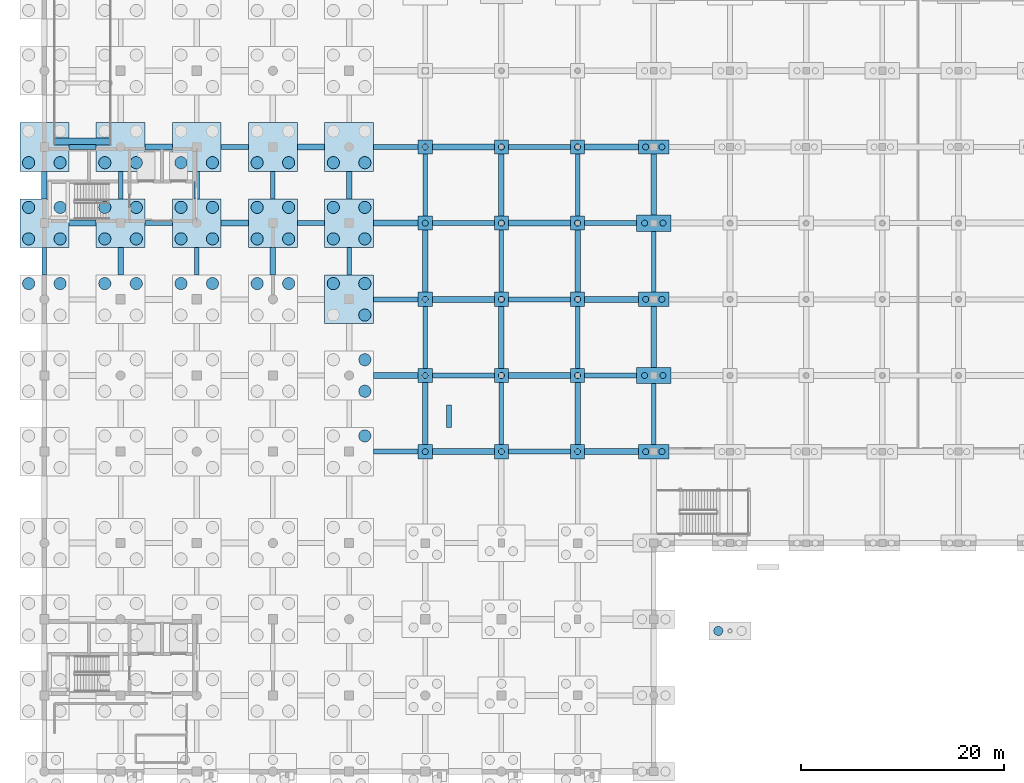
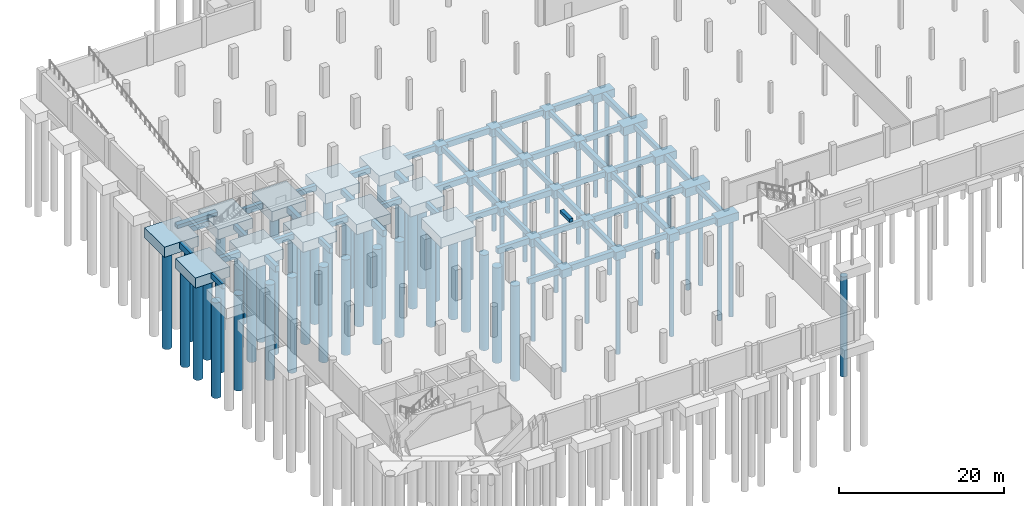
# One storey, part 3 of 42: 87 footings, 70 piles.
"""IFC4 building model written with IfcOpenShell, lengths in metres."""

from ifc_helpers import new_model, si_unit, direction, frame, origin, origin_2d, place, context, subcontext, project, spatial, rectangle, circle, extrude, material, material_profile, profile_set, type_object, element, save


model = new_model("IFC4")

# Units and contexts
model_context = context("Model", 3, precision=1e-05, world=origin(), true_north=direction((0.0, 1.0)))
body_context = subcontext(model_context, "Body", "Model", "MODEL_VIEW")
ifc_project = project(units=[si_unit("LENGTHUNIT", "METRE"), si_unit("AREAUNIT", "SQUARE_METRE"), si_unit("VOLUMEUNIT", "CUBIC_METRE"), si_unit("PLANEANGLEUNIT", "RADIAN"), si_unit("MASSUNIT", "GRAM", prefix="KILO")], contexts=[model_context])

# Site, building, storey
site_placement = place(None, origin())
site = spatial("IfcSite", under=ifc_project, at=site_placement, CompositionType="ELEMENT")
building_placement = place(site_placement, origin())
building = spatial("IfcBuilding", under=site, at=building_placement, Name="Dalvernix Boulevard General Hospital", CompositionType="ELEMENT")
storey_placement = place(building_placement, frame((0.0, 0.0, -4.5)))
storey = spatial("IfcBuildingStorey", under=building, at=storey_placement, Name="B1", CompositionType="ELEMENT", Elevation=-4.5)

# Footings
ifc_material_1 = material(Name="Concrete C35/45", Category="concrete")
footing_type_1 = type_object("IfcFootingType", Name="FTG-GB-01", PredefinedType="FOOTING_BEAM", material=ifc_material_1)
footing_1_placement = place(storey_placement, frame((34.60009765625, 31.5, -1.2998046875), z_axis=(0.0, 0.0, 1.0), x_axis=(1.0, 0.0, 0.0)))
element("IfcFooting", 1, at=footing_1_placement, inside=storey, type_object=footing_type_1, Name="Ground beam E:5-6", PredefinedType="FOOTING_BEAM", context=body_context, shape_type="SweptSolid", body=[
    extrude(rectangle(XDim=4.39990234375, YDim=0.5, at=origin_2d()), origin(), (0.0, 0.0, 1.0), 0.800048828125),
])
for number, where, z_axis, x_axis, name in (
    (2, (48.75, 31.5, -1.2998046875), (0.0, 0.0, 1.0), (1.0, 0.0, 0.0), "Ground beam E:7-8"),
    (3, (41.25, 39.0, -1.2998046875), (0.0, 0.0, 1.0), (1.0, 0.0, 0.0), "Ground beam F:6-7"),
):
    element("IfcFooting", number, at=place(storey_placement, frame(where, z_axis=z_axis, x_axis=x_axis)), inside=storey, type_object=footing_type_1, Name=name, PredefinedType="FOOTING_BEAM", context=body_context, shape_type="SweptSolid", body=[
        extrude(rectangle(XDim=6.10009765625, YDim=0.5, at=origin_2d()), origin(), (0.0, 0.0, 1.0), 0.800048828125),
    ])
footing_2_placement = place(storey_placement, frame((55.75, 39.0, -1.2998046875), z_axis=(0.0, 0.0, 1.0), x_axis=(1.0, 0.0, 0.0)))
element("IfcFooting", 4, at=footing_2_placement, inside=storey, type_object=footing_type_1, Name="Ground beam F:8-9", PredefinedType="FOOTING_BEAM", context=body_context, shape_type="SweptSolid", body=[
    extrude(rectangle(XDim=5.10009765625, YDim=0.5, at=origin_2d()), origin(), (0.0, 0.0, 1.0), 0.800048828125),
])
footing_3_placement = place(storey_placement, frame((34.60009765625, 46.5, -1.2998046875), z_axis=(0.0, 0.0, 1.0), x_axis=(1.0, 0.0, 0.0)))
element("IfcFooting", 5, at=footing_3_placement, inside=storey, type_object=footing_type_1, Name="Ground beam G:5-6", PredefinedType="FOOTING_BEAM", context=body_context, shape_type="SweptSolid", body=[
    extrude(rectangle(XDim=4.39990234375, YDim=0.5, at=origin_2d()), origin(), (0.0, 0.0, 1.0), 0.800048828125),
])
footing_4_placement = place(storey_placement, frame((48.75, 46.5, -1.2998046875), z_axis=(0.0, 0.0, 1.0), x_axis=(1.0, 0.0, 0.0)))
element("IfcFooting", 6, at=footing_4_placement, inside=storey, type_object=footing_type_1, Name="Ground beam G:7-8", PredefinedType="FOOTING_BEAM", context=body_context, shape_type="SweptSolid", body=[
    extrude(rectangle(XDim=6.10009765625, YDim=0.5, at=origin_2d()), origin(), (0.0, 0.0, 1.0), 0.800048828125),
])
for number, where, z_axis, x_axis, name in (
    (7, (11.25, 54.0, -1.2998046875), (0.0, 0.0, 1.0), (1.0, 0.0, 0.0), "Ground beam H:2-3"),
    (8, (26.25, 54.0, -1.2998046875), (0.0, 0.0, 1.0), (1.0, 0.0, 0.0), "Ground beam H:4-5"),
):
    element("IfcFooting", number, at=place(storey_placement, frame(where, z_axis=z_axis, x_axis=x_axis)), inside=storey, type_object=footing_type_1, Name=name, PredefinedType="FOOTING_BEAM", context=body_context, shape_type="SweptSolid", body=[
        extrude(rectangle(XDim=2.699951171875, YDim=0.5, at=origin_2d()), origin(), (0.0, 0.0, 1.0), 0.800048828125),
    ])
footing_5_placement = place(storey_placement, frame((41.25, 54.0, -1.2998046875), z_axis=(0.0, 0.0, 1.0), x_axis=(1.0, 0.0, 0.0)))
element("IfcFooting", 9, at=footing_5_placement, inside=storey, type_object=footing_type_1, Name="Ground beam H:6-7", PredefinedType="FOOTING_BEAM", context=body_context, shape_type="SweptSolid", body=[
    extrude(rectangle(XDim=6.10009765625, YDim=0.5, at=origin_2d()), origin(), (0.0, 0.0, 1.0), 0.800048828125),
])
footing_6_placement = place(storey_placement, frame((55.75, 54.0, -1.2998046875), z_axis=(0.0, 0.0, 1.0), x_axis=(1.0, 0.0, 0.0)))
element("IfcFooting", 10, at=footing_6_placement, inside=storey, type_object=footing_type_1, Name="Ground beam H:8-9", PredefinedType="FOOTING_BEAM", context=body_context, shape_type="SweptSolid", body=[
    extrude(rectangle(XDim=5.10009765625, YDim=0.5, at=origin_2d()), origin(), (0.0, 0.0, 1.0), 0.800048828125),
])
for number, where, z_axis, x_axis, name in (
    (11, (3.75, 61.5, -1.2998046875), (0.0, 0.0, 1.0), (1.0, 0.0, 0.0), "Ground beam J:1-2"),
    (12, (18.75, 61.5, -1.2998046875), (0.0, 0.0, 1.0), (1.0, 0.0, 0.0), "Ground beam J:3-4"),
):
    element("IfcFooting", number, at=place(storey_placement, frame(where, z_axis=z_axis, x_axis=x_axis)), inside=storey, type_object=footing_type_1, Name=name, PredefinedType="FOOTING_BEAM", context=body_context, shape_type="SweptSolid", body=[
        extrude(rectangle(XDim=2.699951171875, YDim=0.5, at=origin_2d()), origin(), (0.0, 0.0, 1.0), 0.800048828125),
    ])
footing_7_placement = place(storey_placement, frame((34.60009765625, 61.5, -1.2998046875), z_axis=(0.0, 0.0, 1.0), x_axis=(1.0, 0.0, 0.0)))
element("IfcFooting", 13, at=footing_7_placement, inside=storey, type_object=footing_type_1, Name="Ground beam J:5-6", PredefinedType="FOOTING_BEAM", context=body_context, shape_type="SweptSolid", body=[
    extrude(rectangle(XDim=4.39990234375, YDim=0.5, at=origin_2d()), origin(), (0.0, 0.0, 1.0), 0.800048828125),
])
footing_8_placement = place(storey_placement, frame((48.75, 61.5, -1.2998046875), z_axis=(0.0, 0.0, 1.0), x_axis=(1.0, 0.0, 0.0)))
element("IfcFooting", 14, at=footing_8_placement, inside=storey, type_object=footing_type_1, Name="Ground beam J:7-8", PredefinedType="FOOTING_BEAM", context=body_context, shape_type="SweptSolid", body=[
    extrude(rectangle(XDim=6.10009765625, YDim=0.5, at=origin_2d()), origin(), (0.0, 0.0, 1.0), 0.800048828125),
])
footing_type_2 = type_object("IfcFootingType", Name="FTG-GB-02", PredefinedType="FOOTING_BEAM", material=ifc_material_1)
footing_9_placement = place(storey_placement, frame((41.25, 31.5, -1.35009765625), z_axis=(0.0, 0.0, 1.0), x_axis=(1.0, 0.0, 0.0)))
element("IfcFooting", 15, at=footing_9_placement, inside=storey, type_object=footing_type_2, Name="Ground beam E:6-7", PredefinedType="FOOTING_BEAM", context=body_context, shape_type="SweptSolid", body=[
    extrude(rectangle(XDim=6.10009765625, YDim=0.60009765625, at=origin_2d()), origin(), (0.0, 0.0, 1.0), 0.85009765625),
])
footing_10_placement = place(storey_placement, frame((55.85009765625, 31.5, -1.35009765625), z_axis=(0.0, 0.0, 1.0), x_axis=(1.0, 0.0, 0.0)))
element("IfcFooting", 16, at=footing_10_placement, inside=storey, type_object=footing_type_2, Name="Ground beam E:8-9", PredefinedType="FOOTING_BEAM", context=body_context, shape_type="SweptSolid", body=[
    extrude(rectangle(XDim=5.300048828125, YDim=0.60009765625, at=origin_2d()), origin(), (0.0, 0.0, 1.0), 0.85009765625),
])
footing_11_placement = place(storey_placement, frame((34.60009765625, 39.0, -1.35009765625), z_axis=(0.0, 0.0, 1.0), x_axis=(1.0, 0.0, 0.0)))
element("IfcFooting", 17, at=footing_11_placement, inside=storey, type_object=footing_type_2, Name="Ground beam F:5-6", PredefinedType="FOOTING_BEAM", context=body_context, shape_type="SweptSolid", body=[
    extrude(rectangle(XDim=4.39990234375, YDim=0.60009765625, at=origin_2d()), origin(), (0.0, 0.0, 1.0), 0.85009765625),
])
for number, where, z_axis, x_axis, name in (
    (18, (48.75, 39.0, -1.35009765625), (0.0, 0.0, 1.0), (1.0, 0.0, 0.0), "Ground beam F:7-8"),
    (19, (41.25, 46.5, -1.35009765625), (0.0, 0.0, 1.0), (1.0, 0.0, 0.0), "Ground beam G:6-7"),
):
    element("IfcFooting", number, at=place(storey_placement, frame(where, z_axis=z_axis, x_axis=x_axis)), inside=storey, type_object=footing_type_2, Name=name, PredefinedType="FOOTING_BEAM", context=body_context, shape_type="SweptSolid", body=[
        extrude(rectangle(XDim=6.10009765625, YDim=0.60009765625, at=origin_2d()), origin(), (0.0, 0.0, 1.0), 0.85009765625),
    ])
footing_12_placement = place(storey_placement, frame((55.85009765625, 46.5, -1.35009765625), z_axis=(0.0, 0.0, 1.0), x_axis=(1.0, 0.0, 0.0)))
element("IfcFooting", 20, at=footing_12_placement, inside=storey, type_object=footing_type_2, Name="Ground beam G:8-9", PredefinedType="FOOTING_BEAM", context=body_context, shape_type="SweptSolid", body=[
    extrude(rectangle(XDim=5.300048828125, YDim=0.60009765625, at=origin_2d()), origin(), (0.0, 0.0, 1.0), 0.85009765625),
])
for number, where, z_axis, x_axis, name in (
    (21, (3.75, 54.0, -1.35009765625), (0.0, 0.0, 1.0), (1.0, 0.0, 0.0), "Ground beam H:1-2"),
    (22, (18.75, 54.0, -1.35009765625), (0.0, 0.0, 1.0), (1.0, 0.0, 0.0), "Ground beam H:3-4"),
):
    element("IfcFooting", number, at=place(storey_placement, frame(where, z_axis=z_axis, x_axis=x_axis)), inside=storey, type_object=footing_type_2, Name=name, PredefinedType="FOOTING_BEAM", context=body_context, shape_type="SweptSolid", body=[
        extrude(rectangle(XDim=2.699951171875, YDim=0.60009765625, at=origin_2d()), origin(), (0.0, 0.0, 1.0), 0.85009765625),
    ])
footing_13_placement = place(storey_placement, frame((34.60009765625, 54.0, -1.35009765625), z_axis=(0.0, 0.0, 1.0), x_axis=(1.0, 0.0, 0.0)))
element("IfcFooting", 23, at=footing_13_placement, inside=storey, type_object=footing_type_2, Name="Ground beam H:5-6", PredefinedType="FOOTING_BEAM", context=body_context, shape_type="SweptSolid", body=[
    extrude(rectangle(XDim=4.39990234375, YDim=0.60009765625, at=origin_2d()), origin(), (0.0, 0.0, 1.0), 0.85009765625),
])
footing_14_placement = place(storey_placement, frame((48.75, 54.0, -1.35009765625), z_axis=(0.0, 0.0, 1.0), x_axis=(1.0, 0.0, 0.0)))
element("IfcFooting", 24, at=footing_14_placement, inside=storey, type_object=footing_type_2, Name="Ground beam H:7-8", PredefinedType="FOOTING_BEAM", context=body_context, shape_type="SweptSolid", body=[
    extrude(rectangle(XDim=6.10009765625, YDim=0.60009765625, at=origin_2d()), origin(), (0.0, 0.0, 1.0), 0.85009765625),
])
for number, where, z_axis, x_axis, name in (
    (25, (11.25, 61.5, -1.35009765625), (0.0, 0.0, 1.0), (1.0, 0.0, 0.0), "Ground beam J:2-3"),
    (26, (26.25, 61.5, -1.35009765625), (0.0, 0.0, 1.0), (1.0, 0.0, 0.0), "Ground beam J:4-5"),
):
    element("IfcFooting", number, at=place(storey_placement, frame(where, z_axis=z_axis, x_axis=x_axis)), inside=storey, type_object=footing_type_2, Name=name, PredefinedType="FOOTING_BEAM", context=body_context, shape_type="SweptSolid", body=[
        extrude(rectangle(XDim=2.699951171875, YDim=0.60009765625, at=origin_2d()), origin(), (0.0, 0.0, 1.0), 0.85009765625),
    ])
footing_15_placement = place(storey_placement, frame((41.25, 61.5, -1.35009765625), z_axis=(0.0, 0.0, 1.0), x_axis=(1.0, 0.0, 0.0)))
element("IfcFooting", 27, at=footing_15_placement, inside=storey, type_object=footing_type_2, Name="Ground beam J:6-7", PredefinedType="FOOTING_BEAM", context=body_context, shape_type="SweptSolid", body=[
    extrude(rectangle(XDim=6.10009765625, YDim=0.60009765625, at=origin_2d()), origin(), (0.0, 0.0, 1.0), 0.85009765625),
])
footing_16_placement = place(storey_placement, frame((55.85009765625, 61.5, -1.35009765625), z_axis=(0.0, 0.0, 1.0), x_axis=(1.0, 0.0, 0.0)))
element("IfcFooting", 28, at=footing_16_placement, inside=storey, type_object=footing_type_2, Name="Ground beam J:8-9", PredefinedType="FOOTING_BEAM", context=body_context, shape_type="SweptSolid", body=[
    extrude(rectangle(XDim=5.300048828125, YDim=0.60009765625, at=origin_2d()), origin(), (0.0, 0.0, 1.0), 0.85009765625),
])
footing_type_3 = type_object("IfcFootingType", Name="FTG-GB-03", PredefinedType="FOOTING_BEAM", material=ifc_material_1)
for number, where, z_axis, x_axis, name in (
    (29, (0.0, 50.25, -1.25), (0.0, 0.0, 1.0), (0.0, 1.0, 0.0), "Ground beam 1:G-H"),
    (30, (7.5, 57.75, -1.25), (0.0, 0.0, 1.0), (0.0, 1.0, 0.0), "Ground beam 2:H-J"),
    (31, (15.0, 50.25, -1.25), (0.0, 0.0, 1.0), (0.0, 1.0, 0.0), "Ground beam 3:G-H"),
    (32, (22.5, 57.75, -1.25), (0.0, 0.0, 1.0), (0.0, 1.0, 0.0), "Ground beam 4:H-J"),
    (33, (30.0, 50.25, -1.25), (0.0, 0.0, 1.0), (0.0, 1.0, 0.0), "Ground beam 5:G-H"),
):
    element("IfcFooting", number, at=place(storey_placement, frame(where, z_axis=z_axis, x_axis=x_axis)), inside=storey, type_object=footing_type_3, Name=name, PredefinedType="FOOTING_BEAM", context=body_context, shape_type="SweptSolid", body=[
        extrude(rectangle(XDim=2.699951171875, YDim=0.449951171875, at=origin_2d()), origin(), (0.0, 0.0, 1.0), 0.75),
    ])
for number, where, z_axis, x_axis, name in (
    (34, (37.5, 42.75, -1.25), (0.0, 0.0, 1.0), (0.0, 1.0, 0.0), "Ground beam 6:F-G"),
    (35, (37.5, 57.75, -1.25), (0.0, 0.0, 1.0), (0.0, 1.0, 0.0), "Ground beam 6:H-J"),
    (36, (45.0, 35.25, -1.25), (0.0, 0.0, 1.0), (0.0, 1.0, 0.0), "Ground beam 7:E-F"),
    (37, (45.0, 50.25, -1.25), (0.0, 0.0, 1.0), (0.0, 1.0, 0.0), "Ground beam 7:G-H"),
    (38, (52.5, 42.75, -1.25), (0.0, 0.0, 1.0), (0.0, 1.0, 0.0), "Ground beam 8:F-G"),
    (39, (52.5, 57.75, -1.25), (0.0, 0.0, 1.0), (0.0, 1.0, 0.0), "Ground beam 8:H-J"),
):
    element("IfcFooting", number, at=place(storey_placement, frame(where, z_axis=z_axis, x_axis=x_axis)), inside=storey, type_object=footing_type_3, Name=name, PredefinedType="FOOTING_BEAM", context=body_context, shape_type="SweptSolid", body=[
        extrude(rectangle(XDim=6.10009765625, YDim=0.449951171875, at=origin_2d()), origin(), (0.0, 0.0, 1.0), 0.75),
    ])
for number, where, z_axis, x_axis, name in (
    (40, (60.0, 35.199951171875, -1.25), (0.0, 0.0, 1.0), (0.0, 1.0, 0.0), "Ground beam 9:E-F"),
    (41, (60.0, 50.199951171875, -1.25), (0.0, 0.0, 1.0), (0.0, 1.0, 0.0), "Ground beam 9:G-H"),
):
    element("IfcFooting", number, at=place(storey_placement, frame(where, z_axis=z_axis, x_axis=x_axis)), inside=storey, type_object=footing_type_3, Name=name, PredefinedType="FOOTING_BEAM", context=body_context, shape_type="SweptSolid", body=[
        extrude(rectangle(XDim=6.0, YDim=0.449951171875, at=origin_2d()), origin(), (0.0, 0.0, 1.0), 0.75),
    ])
footing_type_4 = type_object("IfcFootingType", Name="FTG-GB-04", PredefinedType="FOOTING_BEAM", material=ifc_material_1)
for number, where, z_axis, x_axis, name in (
    (42, (0.0, 57.75, -1.39990234375), (0.0, 0.0, 1.0), (0.0, 1.0, 0.0), "Ground beam 1:H-J"),
    (43, (7.5, 50.25, -1.39990234375), (0.0, 0.0, 1.0), (0.0, 1.0, 0.0), "Ground beam 2:G-H"),
    (44, (15.0, 57.75, -1.39990234375), (0.0, 0.0, 1.0), (0.0, 1.0, 0.0), "Ground beam 3:H-J"),
    (45, (22.5, 50.25, -1.39990234375), (0.0, 0.0, 1.0), (0.0, 1.0, 0.0), "Ground beam 4:G-H"),
    (46, (30.0, 57.75, -1.39990234375), (0.0, 0.0, 1.0), (0.0, 1.0, 0.0), "Ground beam 5:H-J"),
):
    element("IfcFooting", number, at=place(storey_placement, frame(where, z_axis=z_axis, x_axis=x_axis)), inside=storey, type_object=footing_type_4, Name=name, PredefinedType="FOOTING_BEAM", context=body_context, shape_type="SweptSolid", body=[
        extrude(rectangle(XDim=2.699951171875, YDim=0.550048828125, at=origin_2d()), origin(), (0.0, 0.0, 1.0), 0.89990234375),
    ])
for number, where, z_axis, x_axis, name in (
    (47, (37.5, 35.25, -1.39990234375), (0.0, 0.0, 1.0), (0.0, 1.0, 0.0), "Ground beam 6:E-F"),
    (48, (37.5, 50.25, -1.39990234375), (0.0, 0.0, 1.0), (0.0, 1.0, 0.0), "Ground beam 6:G-H"),
    (49, (45.0, 42.75, -1.39990234375), (0.0, 0.0, 1.0), (0.0, 1.0, 0.0), "Ground beam 7:F-G"),
    (50, (45.0, 57.75, -1.39990234375), (0.0, 0.0, 1.0), (0.0, 1.0, 0.0), "Ground beam 7:H-J"),
    (51, (52.5, 35.25, -1.39990234375), (0.0, 0.0, 1.0), (0.0, 1.0, 0.0), "Ground beam 8:E-F"),
    (52, (52.5, 50.25, -1.39990234375), (0.0, 0.0, 1.0), (0.0, 1.0, 0.0), "Ground beam 8:G-H"),
):
    element("IfcFooting", number, at=place(storey_placement, frame(where, z_axis=z_axis, x_axis=x_axis)), inside=storey, type_object=footing_type_4, Name=name, PredefinedType="FOOTING_BEAM", context=body_context, shape_type="SweptSolid", body=[
        extrude(rectangle(XDim=6.10009765625, YDim=0.550048828125, at=origin_2d()), origin(), (0.0, 0.0, 1.0), 0.89990234375),
    ])
for number, where, z_axis, x_axis, name in (
    (53, (60.0, 42.800048828125, -1.39990234375), (0.0, 0.0, 1.0), (0.0, 1.0, 0.0), "Ground beam 9:F-G"),
    (54, (60.0, 57.800048828125, -1.39990234375), (0.0, 0.0, 1.0), (0.0, 1.0, 0.0), "Ground beam 9:H-J"),
):
    element("IfcFooting", number, at=place(storey_placement, frame(where, z_axis=z_axis, x_axis=x_axis)), inside=storey, type_object=footing_type_4, Name=name, PredefinedType="FOOTING_BEAM", context=body_context, shape_type="SweptSolid", body=[
        extrude(rectangle(XDim=6.0, YDim=0.550048828125, at=origin_2d()), origin(), (0.0, 0.0, 1.0), 0.89990234375),
    ])
ifc_material_2 = material(Name="Concrete C40/50", Category="concrete")
footing_type_5 = type_object("IfcFootingType", Name="FTG-PC-01", PredefinedType="PILE_CAP", material=ifc_material_2)
for number, where, z_axis, x_axis, name in (
    (55, (37.5, 31.5, -1.7001953125), (0.0, 0.0, 1.0), (1.0, 0.0, 0.0), "Pile cap 6E"),
    (56, (37.5, 39.0, -1.7001953125), (0.0, 0.0, 1.0), (1.0, 0.0, 0.0), "Pile cap 6F"),
    (57, (37.5, 46.5, -1.7001953125), (0.0, 0.0, 1.0), (1.0, 0.0, 0.0), "Pile cap 6G"),
    (58, (37.5, 54.0, -1.7001953125), (0.0, 0.0, 1.0), (1.0, 0.0, 0.0), "Pile cap 6H"),
    (59, (37.5, 61.5, -1.7001953125), (0.0, 0.0, 1.0), (1.0, 0.0, 0.0), "Pile cap 6J"),
    (60, (45.0, 31.5, -1.7001953125), (0.0, 0.0, 1.0), (1.0, 0.0, 0.0), "Pile cap 7E"),
    (61, (45.0, 39.0, -1.7001953125), (0.0, 0.0, 1.0), (1.0, 0.0, 0.0), "Pile cap 7F"),
    (62, (45.0, 46.5, -1.7001953125), (0.0, 0.0, 1.0), (1.0, 0.0, 0.0), "Pile cap 7G"),
    (63, (45.0, 54.0, -1.7001953125), (0.0, 0.0, 1.0), (1.0, 0.0, 0.0), "Pile cap 7H"),
    (64, (45.0, 61.5, -1.7001953125), (0.0, 0.0, 1.0), (1.0, 0.0, 0.0), "Pile cap 7J"),
    (65, (52.5, 31.5, -1.7001953125), (0.0, 0.0, 1.0), (1.0, 0.0, 0.0), "Pile cap 8E"),
    (66, (52.5, 39.0, -1.7001953125), (0.0, 0.0, 1.0), (1.0, 0.0, 0.0), "Pile cap 8F"),
    (67, (52.5, 46.5, -1.7001953125), (0.0, 0.0, 1.0), (1.0, 0.0, 0.0), "Pile cap 8G"),
    (68, (52.5, 54.0, -1.7001953125), (0.0, 0.0, 1.0), (1.0, 0.0, 0.0), "Pile cap 8H"),
    (69, (52.5, 61.5, -1.7001953125), (0.0, 0.0, 1.0), (1.0, 0.0, 0.0), "Pile cap 8J"),
):
    element("IfcFooting", number, at=place(storey_placement, frame(where, z_axis=z_axis, x_axis=x_axis)), inside=storey, type_object=footing_type_5, Name=name, PredefinedType="PILE_CAP", context=body_context, shape_type="SweptSolid", body=[
        extrude(rectangle(XDim=1.39990234375, YDim=1.39990234375, at=origin_2d()), origin(), (0.0, 0.0, 1.0), 1.199951171875),
    ])
footing_type_6 = type_object("IfcFootingType", Name="FTG-PC-02", PredefinedType="PILE_CAP", material=ifc_material_2)
for number, where, z_axis, x_axis, name in (
    (70, (60.0, 31.5, -1.7001953125), (0.0, 0.0, 1.0), (1.0, 0.0, 0.0), "Pile cap 9E"),
    (71, (60.0, 46.5, -1.7001953125), (0.0, 0.0, 1.0), (1.0, 0.0, 0.0), "Pile cap 9G"),
    (72, (60.0, 61.5, -1.7001953125), (0.0, 0.0, 1.0), (1.0, 0.0, 0.0), "Pile cap 9J"),
):
    element("IfcFooting", number, at=place(storey_placement, frame(where, z_axis=z_axis, x_axis=x_axis)), inside=storey, type_object=footing_type_6, Name=name, PredefinedType="PILE_CAP", context=body_context, shape_type="SweptSolid", body=[
        extrude(rectangle(XDim=3.0, YDim=1.39990234375, at=origin_2d()), origin(), (0.0, 0.0, 1.0), 1.199951171875),
    ])
footing_type_7 = type_object("IfcFootingType", Name="FTG-PC-03", PredefinedType="PILE_CAP", material=ifc_material_2)
for number, where, z_axis, x_axis, name in (
    (73, (60.0, 39.0, -1.75), (0.0, 0.0, 1.0), (1.0, 0.0, 0.0), "Pile cap 9F"),
    (74, (60.0, 54.0, -1.75), (0.0, 0.0, 1.0), (1.0, 0.0, 0.0), "Pile cap 9H"),
):
    element("IfcFooting", number, at=place(storey_placement, frame(where, z_axis=z_axis, x_axis=x_axis)), inside=storey, type_object=footing_type_7, Name=name, PredefinedType="PILE_CAP", context=body_context, shape_type="SweptSolid", body=[
        extrude(rectangle(XDim=3.39990234375, YDim=1.60009765625, at=origin_2d()), origin(), (0.0, 0.0, 1.0), 1.25),
    ])
footing_type_8 = type_object("IfcFootingType", Name="FTG-PC-09", PredefinedType="PILE_CAP", material=ifc_material_2)
for number, where, z_axis, x_axis, name in (
    (75, (0.0, 54.0, -2.0), (0.0, 0.0, 1.0), (1.0, 0.0, 0.0), "Pile cap 1H"),
    (76, (0.0, 61.5, -2.0), (0.0, 0.0, 1.0), (1.0, 0.0, 0.0), "Pile cap 1J"),
    (77, (7.5, 54.0, -2.0), (0.0, 0.0, 1.0), (1.0, 0.0, 0.0), "Pile cap 2H"),
    (78, (7.5, 61.5, -2.0), (0.0, 0.0, 1.0), (1.0, 0.0, 0.0), "Pile cap 2J"),
    (79, (15.0, 54.0, -2.0), (0.0, 0.0, 1.0), (1.0, 0.0, 0.0), "Pile cap 3H"),
    (80, (15.0, 61.5, -2.0), (0.0, 0.0, 1.0), (1.0, 0.0, 0.0), "Pile cap 3J"),
    (81, (22.5, 54.0, -2.0), (0.0, 0.0, 1.0), (1.0, 0.0, 0.0), "Pile cap 4H"),
    (82, (22.5, 61.5, -2.0), (0.0, 0.0, 1.0), (1.0, 0.0, 0.0), "Pile cap 4J"),
    (83, (30.0, 46.5, -2.0), (0.0, 0.0, 1.0), (1.0, 0.0, 0.0), "Pile cap 5G"),
    (84, (30.0, 54.0, -2.0), (0.0, 0.0, 1.0), (1.0, 0.0, 0.0), "Pile cap 5H"),
    (85, (30.0, 61.5, -2.0), (0.0, 0.0, 1.0), (1.0, 0.0, 0.0), "Pile cap 5J"),
):
    element("IfcFooting", number, at=place(storey_placement, frame(where, z_axis=z_axis, x_axis=x_axis)), inside=storey, type_object=footing_type_8, Name=name, PredefinedType="PILE_CAP", context=body_context, shape_type="SweptSolid", body=[
        extrude(rectangle(XDim=4.800048828125, YDim=4.800048828125, at=origin_2d()), origin(), (0.0, 0.0, 1.0), 1.5),
    ])
footing_type_9 = type_object("IfcFootingType", Name="FTG-SF-01", PredefinedType="STRIP_FOOTING", material=ifc_material_1)
footing_17_placement = place(storey_placement, frame((3.75, 62.050048828125, -0.7998046875), z_axis=(0.0, 0.0, 1.0), x_axis=(1.0, 0.0, 0.0)))
element("IfcFooting", 86, at=footing_17_placement, inside=storey, type_object=footing_type_9, Name="Vehicle ramp VR-01 lower toe strip footing", PredefinedType="STRIP_FOOTING", context=body_context, shape_type="SweptSolid", body=[
    extrude(rectangle(XDim=5.60009765625, YDim=0.699951171875, at=origin_2d()), origin(), (0.0, 0.0, 1.0), 0.800048828125),
])
footing_18_placement = place(storey_placement, frame((39.85009765625, 35.0, 3.719970703125), z_axis=(0.0, 0.0, 1.0), x_axis=(-1.0, 0.0, 0.0)))
element("IfcFooting", 87, at=footing_18_placement, inside=storey, type_object=footing_type_9, Name="Accessible entrance ramp lower strip footing 3", PredefinedType="STRIP_FOOTING", context=body_context, shape_type="SweptSolid", body=[
    extrude(rectangle(XDim=0.5, YDim=2.199951171875, at=origin_2d()), origin(), (0.0, 0.0, 1.0), 0.5),
])

# Piles
ifc_material_profile_1 = material_profile(ifc_material_1, circle(Radius=0.300048828125, at=origin_2d()), Name="BORED PILE D600")
ifc_profile_set_1 = profile_set([ifc_material_profile_1], Name="Concrete C35/45")
pile_type_1 = type_object("IfcPileType", Name="PILE-PL-01", PredefinedType="BORED", material=ifc_profile_set_1)
for number, where, z_axis, x_axis, name in (
    (88, (37.5, 31.5, -1.60009765625), (0.0, 0.0, -1.0), (1.0, 0.0, 0.0), "Bored pile 6E-1"),
    (89, (37.5, 39.0, -1.60009765625), (0.0, 0.0, -1.0), (1.0, 0.0, 0.0), "Bored pile 6F-1"),
    (90, (37.5, 46.5, -1.60009765625), (0.0, 0.0, -1.0), (1.0, 0.0, 0.0), "Bored pile 6G-1"),
    (91, (37.5, 54.0, -1.60009765625), (0.0, 0.0, -1.0), (1.0, 0.0, 0.0), "Bored pile 6H-1"),
    (92, (37.5, 61.5, -1.60009765625), (0.0, 0.0, -1.0), (1.0, 0.0, 0.0), "Bored pile 6J-1"),
    (93, (45.0, 31.5, -1.60009765625), (0.0, 0.0, -1.0), (1.0, 0.0, 0.0), "Bored pile 7E-1"),
    (94, (45.0, 39.0, -1.60009765625), (0.0, 0.0, -1.0), (1.0, 0.0, 0.0), "Bored pile 7F-1"),
    (95, (45.0, 46.5, -1.60009765625), (0.0, 0.0, -1.0), (1.0, 0.0, 0.0), "Bored pile 7G-1"),
    (96, (45.0, 54.0, -1.60009765625), (0.0, 0.0, -1.0), (1.0, 0.0, 0.0), "Bored pile 7H-1"),
    (97, (45.0, 61.5, -1.60009765625), (0.0, 0.0, -1.0), (1.0, 0.0, 0.0), "Bored pile 7J-1"),
    (98, (52.5, 31.5, -1.60009765625), (0.0, 0.0, -1.0), (1.0, 0.0, 0.0), "Bored pile 8E-1"),
    (99, (52.5, 39.0, -1.60009765625), (0.0, 0.0, -1.0), (1.0, 0.0, 0.0), "Bored pile 8F-1"),
    (100, (52.5, 46.5, -1.60009765625), (0.0, 0.0, -1.0), (1.0, 0.0, 0.0), "Bored pile 8G-1"),
    (101, (52.5, 54.0, -1.60009765625), (0.0, 0.0, -1.0), (1.0, 0.0, 0.0), "Bored pile 8H-1"),
    (102, (52.5, 61.5, -1.60009765625), (0.0, 0.0, -1.0), (1.0, 0.0, 0.0), "Bored pile 8J-1"),
    (103, (59.199951171875, 31.5, -1.60009765625), (0.0, 0.0, -1.0), (1.0, 0.0, 0.0), "Bored pile 9E-1"),
    (104, (60.800048828125, 31.5, -1.60009765625), (0.0, 0.0, -1.0), (1.0, 0.0, 0.0), "Bored pile 9E-2"),
):
    element("IfcPile", number, at=place(storey_placement, frame(where, z_axis=z_axis, x_axis=x_axis)), inside=storey, type_object=pile_type_1, Name=name, PredefinedType="BORED", context=body_context, shape_type="SweptSolid", body=[
        extrude(circle(Radius=0.300048828125, at=origin_2d()), origin(), (0.0, 0.0, 1.0), 14.39990234375),
    ])
for number, where, z_axis, x_axis, name in (
    (105, (59.10009765625, 39.0, -1.64990234375), (0.0, 0.0, -1.0), (1.0, 0.0, 0.0), "Bored pile 9F-1"),
    (106, (60.89990234375, 39.0, -1.64990234375), (0.0, 0.0, -1.0), (1.0, 0.0, 0.0), "Bored pile 9F-2"),
):
    element("IfcPile", number, at=place(storey_placement, frame(where, z_axis=z_axis, x_axis=x_axis)), inside=storey, type_object=pile_type_1, Name=name, PredefinedType="BORED", context=body_context, shape_type="SweptSolid", body=[
        extrude(circle(Radius=0.300048828125, at=origin_2d()), origin(), (0.0, 0.0, 1.0), 14.35009765625),
    ])
for number, where, z_axis, x_axis, name in (
    (107, (59.199951171875, 46.5, -1.60009765625), (0.0, 0.0, -1.0), (1.0, 0.0, 0.0), "Bored pile 9G-1"),
    (108, (60.800048828125, 46.5, -1.60009765625), (0.0, 0.0, -1.0), (1.0, 0.0, 0.0), "Bored pile 9G-2"),
):
    element("IfcPile", number, at=place(storey_placement, frame(where, z_axis=z_axis, x_axis=x_axis)), inside=storey, type_object=pile_type_1, Name=name, PredefinedType="BORED", context=body_context, shape_type="SweptSolid", body=[
        extrude(circle(Radius=0.300048828125, at=origin_2d()), origin(), (0.0, 0.0, 1.0), 14.39990234375),
    ])
for number, where, z_axis, x_axis, name in (
    (109, (59.10009765625, 54.0, -1.64990234375), (0.0, 0.0, -1.0), (1.0, 0.0, 0.0), "Bored pile 9H-1"),
    (110, (60.89990234375, 54.0, -1.64990234375), (0.0, 0.0, -1.0), (1.0, 0.0, 0.0), "Bored pile 9H-2"),
):
    element("IfcPile", number, at=place(storey_placement, frame(where, z_axis=z_axis, x_axis=x_axis)), inside=storey, type_object=pile_type_1, Name=name, PredefinedType="BORED", context=body_context, shape_type="SweptSolid", body=[
        extrude(circle(Radius=0.300048828125, at=origin_2d()), origin(), (0.0, 0.0, 1.0), 14.35009765625),
    ])
for number, where, z_axis, x_axis, name in (
    (111, (59.199951171875, 61.5, -1.60009765625), (0.0, 0.0, -1.0), (1.0, 0.0, 0.0), "Bored pile 9J-1"),
    (112, (60.800048828125, 61.5, -1.60009765625), (0.0, 0.0, -1.0), (1.0, 0.0, 0.0), "Bored pile 9J-2"),
):
    element("IfcPile", number, at=place(storey_placement, frame(where, z_axis=z_axis, x_axis=x_axis)), inside=storey, type_object=pile_type_1, Name=name, PredefinedType="BORED", context=body_context, shape_type="SweptSolid", body=[
        extrude(circle(Radius=0.300048828125, at=origin_2d()), origin(), (0.0, 0.0, 1.0), 14.39990234375),
    ])
ifc_material_profile_2 = material_profile(ifc_material_1, circle(Radius=0.449951171875, at=origin_2d()), Name="BORED PILE D900")
ifc_profile_set_2 = profile_set([ifc_material_profile_2], Name="Concrete C35/45")
pile_type_2 = type_object("IfcPileType", Name="PILE-PL-02", PredefinedType="BORED", material=ifc_profile_set_2)
pile_placement = place(storey_placement, frame((66.35009765625, 13.85009765625, -1.199951171875), z_axis=(0.0, 0.0, -1.0), x_axis=(1.0, 0.0, 0.0)))
element("IfcPile", 113, at=pile_placement, inside=storey, type_object=pile_type_2, Name="Porte-cochere pylon bored pile 1-1", PredefinedType="BORED", context=body_context, shape_type="SweptSolid", body=[
    extrude(circle(Radius=0.449951171875, at=origin_2d()), origin(), (0.0, 0.0, 1.0), 14.800048828125),
])
ifc_material_profile_3 = material_profile(ifc_material_1, circle(Radius=0.60009765625, at=origin_2d()), Name="BORED PILE D1200")
ifc_profile_set_3 = profile_set([ifc_material_profile_3], Name="Concrete C35/45")
pile_type_3 = type_object("IfcPileType", Name="PILE-PL-03", PredefinedType="BORED", material=ifc_profile_set_3)
for number, where, z_axis, x_axis, name in (
    (114, (-1.550048828125, 48.050048828125, -1.89990234375), (0.0, 0.0, -1.0), (1.0, 0.0, 0.0), "Bored pile 1G-3"),
    (115, (1.550048828125, 48.050048828125, -1.89990234375), (0.0, 0.0, -1.0), (1.0, 0.0, 0.0), "Bored pile 1G-4"),
    (116, (-1.550048828125, 52.449951171875, -1.89990234375), (0.0, 0.0, -1.0), (1.0, 0.0, 0.0), "Bored pile 1H-1"),
    (117, (1.550048828125, 52.449951171875, -1.89990234375), (0.0, 0.0, -1.0), (1.0, 0.0, 0.0), "Bored pile 1H-2"),
    (118, (-1.550048828125, 55.550048828125, -1.89990234375), (0.0, 0.0, -1.0), (1.0, 0.0, 0.0), "Bored pile 1H-3"),
    (119, (1.550048828125, 55.550048828125, -1.89990234375), (0.0, 0.0, -1.0), (1.0, 0.0, 0.0), "Bored pile 1H-4"),
    (120, (-1.550048828125, 59.949951171875, -1.89990234375), (0.0, 0.0, -1.0), (1.0, 0.0, 0.0), "Bored pile 1J-1"),
    (121, (1.550048828125, 59.949951171875, -1.89990234375), (0.0, 0.0, -1.0), (1.0, 0.0, 0.0), "Bored pile 1J-2"),
    (122, (5.949951171875, 48.050048828125, -1.89990234375), (0.0, 0.0, -1.0), (1.0, 0.0, 0.0), "Bored pile 2G-3"),
    (123, (9.050048828125, 48.050048828125, -1.89990234375), (0.0, 0.0, -1.0), (1.0, 0.0, 0.0), "Bored pile 2G-4"),
    (124, (5.949951171875, 52.449951171875, -1.89990234375), (0.0, 0.0, -1.0), (1.0, 0.0, 0.0), "Bored pile 2H-1"),
    (125, (9.050048828125, 52.449951171875, -1.89990234375), (0.0, 0.0, -1.0), (1.0, 0.0, 0.0), "Bored pile 2H-2"),
    (126, (5.949951171875, 55.550048828125, -1.89990234375), (0.0, 0.0, -1.0), (1.0, 0.0, 0.0), "Bored pile 2H-3"),
    (127, (9.050048828125, 55.550048828125, -1.89990234375), (0.0, 0.0, -1.0), (1.0, 0.0, 0.0), "Bored pile 2H-4"),
    (128, (5.949951171875, 59.949951171875, -1.89990234375), (0.0, 0.0, -1.0), (1.0, 0.0, 0.0), "Bored pile 2J-1"),
    (129, (9.050048828125, 59.949951171875, -1.89990234375), (0.0, 0.0, -1.0), (1.0, 0.0, 0.0), "Bored pile 2J-2"),
    (130, (13.449951171875, 48.050048828125, -1.89990234375), (0.0, 0.0, -1.0), (1.0, 0.0, 0.0), "Bored pile 3G-3"),
    (131, (16.550048828125, 48.050048828125, -1.89990234375), (0.0, 0.0, -1.0), (1.0, 0.0, 0.0), "Bored pile 3G-4"),
    (132, (13.449951171875, 52.449951171875, -1.89990234375), (0.0, 0.0, -1.0), (1.0, 0.0, 0.0), "Bored pile 3H-1"),
    (133, (16.550048828125, 52.449951171875, -1.89990234375), (0.0, 0.0, -1.0), (1.0, 0.0, 0.0), "Bored pile 3H-2"),
    (134, (13.449951171875, 55.550048828125, -1.89990234375), (0.0, 0.0, -1.0), (1.0, 0.0, 0.0), "Bored pile 3H-3"),
    (135, (16.550048828125, 55.550048828125, -1.89990234375), (0.0, 0.0, -1.0), (1.0, 0.0, 0.0), "Bored pile 3H-4"),
    (136, (13.449951171875, 59.949951171875, -1.89990234375), (0.0, 0.0, -1.0), (1.0, 0.0, 0.0), "Bored pile 3J-1"),
    (137, (16.550048828125, 59.949951171875, -1.89990234375), (0.0, 0.0, -1.0), (1.0, 0.0, 0.0), "Bored pile 3J-2"),
    (138, (20.949951171875, 48.050048828125, -1.89990234375), (0.0, 0.0, -1.0), (1.0, 0.0, 0.0), "Bored pile 4G-3"),
    (139, (24.050048828125, 48.050048828125, -1.89990234375), (0.0, 0.0, -1.0), (1.0, 0.0, 0.0), "Bored pile 4G-4"),
    (140, (20.949951171875, 52.449951171875, -1.89990234375), (0.0, 0.0, -1.0), (1.0, 0.0, 0.0), "Bored pile 4H-1"),
    (141, (24.050048828125, 52.449951171875, -1.89990234375), (0.0, 0.0, -1.0), (1.0, 0.0, 0.0), "Bored pile 4H-2"),
    (142, (20.949951171875, 55.550048828125, -1.89990234375), (0.0, 0.0, -1.0), (1.0, 0.0, 0.0), "Bored pile 4H-3"),
    (143, (24.050048828125, 55.550048828125, -1.89990234375), (0.0, 0.0, -1.0), (1.0, 0.0, 0.0), "Bored pile 4H-4"),
    (144, (20.949951171875, 59.949951171875, -1.89990234375), (0.0, 0.0, -1.0), (1.0, 0.0, 0.0), "Bored pile 4J-1"),
    (145, (24.050048828125, 59.949951171875, -1.89990234375), (0.0, 0.0, -1.0), (1.0, 0.0, 0.0), "Bored pile 4J-2"),
    (146, (31.550048828125, 33.050048828125, -1.89990234375), (0.0, 0.0, -1.0), (1.0, 0.0, 0.0), "Bored pile 5E-4"),
    (147, (31.550048828125, 37.449951171875, -1.89990234375), (0.0, 0.0, -1.0), (1.0, 0.0, 0.0), "Bored pile 5F-2"),
    (148, (31.550048828125, 40.550048828125, -1.89990234375), (0.0, 0.0, -1.0), (1.0, 0.0, 0.0), "Bored pile 5F-4"),
    (149, (31.550048828125, 44.949951171875, -1.89990234375), (0.0, 0.0, -1.0), (1.0, 0.0, 0.0), "Bored pile 5G-2"),
    (150, (28.449951171875, 48.050048828125, -1.89990234375), (0.0, 0.0, -1.0), (1.0, 0.0, 0.0), "Bored pile 5G-3"),
    (151, (31.550048828125, 48.050048828125, -1.89990234375), (0.0, 0.0, -1.0), (1.0, 0.0, 0.0), "Bored pile 5G-4"),
    (152, (28.449951171875, 52.449951171875, -1.89990234375), (0.0, 0.0, -1.0), (1.0, 0.0, 0.0), "Bored pile 5H-1"),
    (153, (31.550048828125, 52.449951171875, -1.89990234375), (0.0, 0.0, -1.0), (1.0, 0.0, 0.0), "Bored pile 5H-2"),
    (154, (28.449951171875, 55.550048828125, -1.89990234375), (0.0, 0.0, -1.0), (1.0, 0.0, 0.0), "Bored pile 5H-3"),
    (155, (31.550048828125, 55.550048828125, -1.89990234375), (0.0, 0.0, -1.0), (1.0, 0.0, 0.0), "Bored pile 5H-4"),
    (156, (28.449951171875, 59.949951171875, -1.89990234375), (0.0, 0.0, -1.0), (1.0, 0.0, 0.0), "Bored pile 5J-1"),
    (157, (31.550048828125, 59.949951171875, -1.89990234375), (0.0, 0.0, -1.0), (1.0, 0.0, 0.0), "Bored pile 5J-2"),
):
    element("IfcPile", number, at=place(storey_placement, frame(where, z_axis=z_axis, x_axis=x_axis)), inside=storey, type_object=pile_type_3, Name=name, PredefinedType="BORED", context=body_context, shape_type="SweptSolid", body=[
        extrude(circle(Radius=0.60009765625, at=origin_2d()), origin(), (0.0, 0.0, 1.0), 14.10009765625),
    ])

save(model, "model.ifc")
